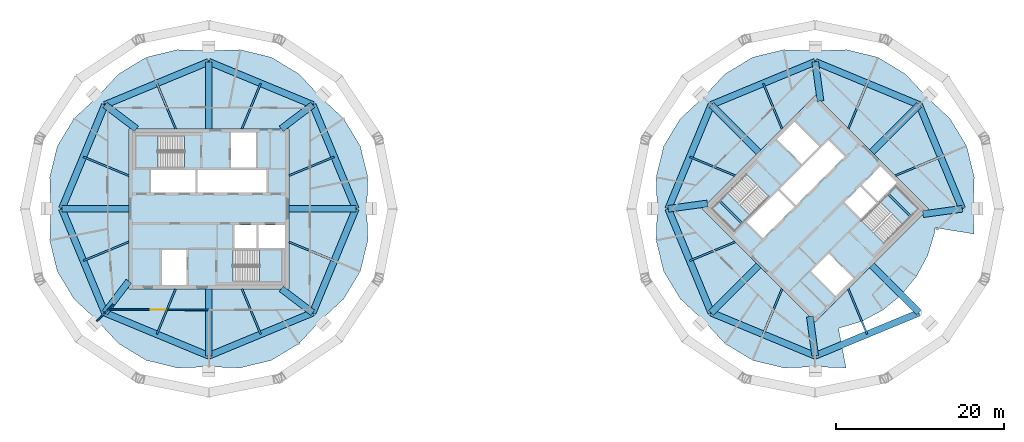
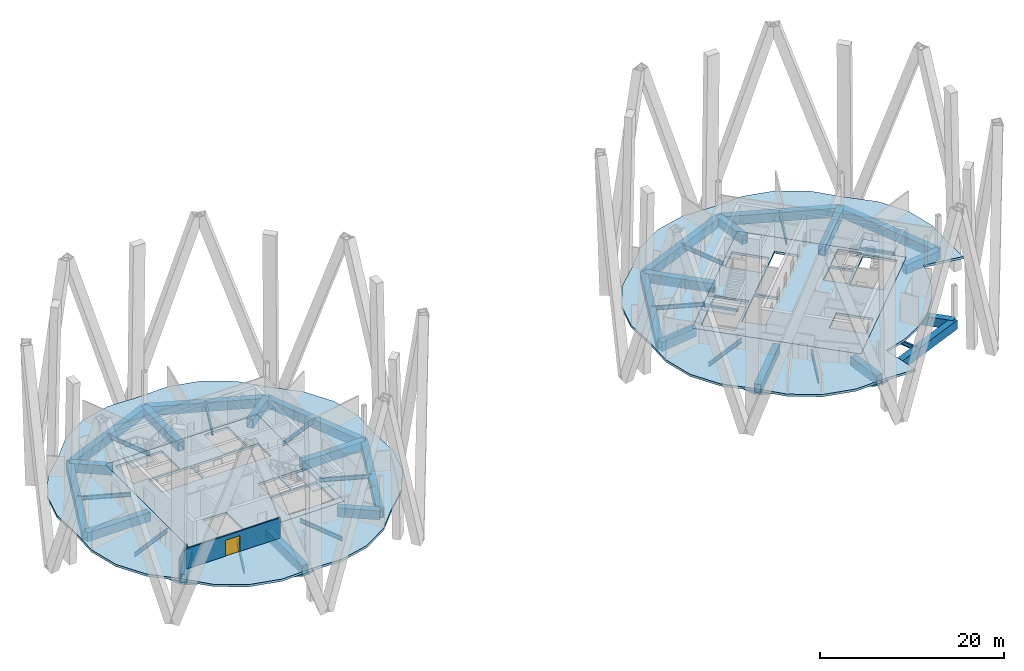
# One storey, part 3 of 11: 48 beams, 8 slabs, 2 walls, 1 door, 1 opening, 4 elements without a shape of their own.
"""IFC4 building model written with IfcOpenShell, lengths in metres."""

from ifc_helpers import new_model, si_unit, direction, frame, frame_2d, origin, origin_2d, place, context, subcontext, project, spatial, polyline, rectangle, hollow_rectangle, i_section, outline, extrude, material, layer, layer_set, material_profile, profile_set, type_object, element, fill, aggregate, save


model = new_model("IFC4")

# Units and contexts
model_context = context("Model", 3, precision=1e-05, world=origin(), true_north=direction((0.0, 1.0)))
body_context = subcontext(model_context, "Body", "Model", "MODEL_VIEW")
ifc_project = project(units=[si_unit("LENGTHUNIT", "METRE"), si_unit("AREAUNIT", "SQUARE_METRE"), si_unit("VOLUMEUNIT", "CUBIC_METRE"), si_unit("PLANEANGLEUNIT", "RADIAN"), si_unit("MASSUNIT", "GRAM", prefix="KILO")], contexts=[model_context])

# Site, building, storey
site_placement = place(None, origin())
site = spatial("IfcSite", under=ifc_project, at=site_placement, CompositionType="ELEMENT")
building_placement = place(site_placement, origin())
building = spatial("IfcBuilding", under=site, at=building_placement, Name="Ogive Gate Towers", CompositionType="ELEMENT")
storey_placement = place(building_placement, frame((0.0, 0.0, 273.0)))
storey = spatial("IfcBuildingStorey", under=building, at=storey_placement, Name="L64", CompositionType="ELEMENT", Elevation=273.0)

# Beams
ifc_material_1 = material(Name="Steel SM460", Category="steel")
ifc_material_profile_1 = material_profile(ifc_material_1, hollow_rectangle(XDim=0.800048828125, YDim=1.199951171875, WallThickness=0.050048828125, at=origin_2d()), Name="BX 1200x800x50")
ifc_profile_set_1 = profile_set([ifc_material_profile_1], Name="Steel SM460")
beam_type_1 = type_object("IfcBeamType", Name="Edge girder BX 1200x800x50", PredefinedType="BEAM", material=ifc_profile_set_1)
for number, where, z_axis, x_axis, name in (
    (1, (-48.342529296875, -12.342529296875, -0.89990234375), (0.923876732551, -0.382690191996, 0.0), (0.382690191996, 0.923876732551, 0.0), "T1/L64/SBM017"),
    (2, (-36.0, -17.455078125, -0.89990234375), (0.923876732551, 0.382690191996, 0.0), (-0.382690191996, 0.923876732551, 0.0), "T1/L64/SBM018"),
    (3, (-23.657470703125, -12.342529296875, -0.89990234375), (0.382690191996, 0.923876732551, 0.0), (-0.923876732551, 0.382690191996, 0.0), "T1/L64/SBM019"),
    (4, (-18.544921875, 0.0, -0.89990234375), (-0.382690191996, 0.923876732551, 0.0), (-0.923876732551, -0.382690191996, 0.0), "T1/L64/SBM020"),
    (5, (-23.657470703125, 12.342529296875, -0.89990234375), (-0.923876732551, 0.382690191996, 0.0), (-0.382690191996, -0.923876732551, 0.0), "T1/L64/SBM021"),
    (6, (-36.0, 17.455078125, -0.89990234375), (-0.923876732551, -0.382690191996, 0.0), (0.382690191996, -0.923876732551, 0.0), "T1/L64/SBM022"),
    (7, (-48.342529296875, 12.342529296875, -0.89990234375), (-0.382690191996, -0.923876732551, 0.0), (0.923876732551, -0.382690191996, 0.0), "T1/L64/SBM023"),
    (8, (-53.455078125, 0.0, -0.89990234375), (0.382690191996, -0.923876732551, 0.0), (0.923876732551, 0.382690191996, 0.0), "T1/L64/SBM024"),
    (9, (23.657470703125, -12.342529296875, -0.89990234375), (0.923876732551, -0.382690191996, 0.0), (0.382690191996, 0.923876732551, 0.0), "T2/L64/SBM016"),
    (10, (36.0, -17.455078125, -0.89990234375), (0.923876732551, 0.382690191996, 0.0), (-0.382690191996, 0.923876732551, 0.0), "T2/L64/SBM017"),
    (11, (53.455078125, 0.0, -0.89990234375), (-0.382690191996, 0.923876732551, 0.0), (-0.923876732551, -0.382690191996, 0.0), "T2/L64/SBM018"),
    (12, (48.342529296875, 12.342529296875, -0.89990234375), (-0.923876732551, 0.382690191996, 0.0), (-0.382690191996, -0.923876732551, 0.0), "T2/L64/SBM019"),
    (13, (36.0, 17.455078125, -0.89990234375), (-0.923876732551, -0.382690191996, 0.0), (0.382690191996, -0.923876732551, 0.0), "T2/L64/SBM020"),
    (14, (23.657470703125, 12.342529296875, -0.89990234375), (-0.382690191996, -0.923876732551, 0.0), (0.923876732551, -0.382690191996, 0.0), "T2/L64/SBM021"),
    (15, (18.544921875, 0.0, -0.89990234375), (0.382690191996, -0.923876732551, 0.0), (0.923876732551, 0.382690191996, 0.0), "T2/L64/SBM022"),
):
    element("IfcBeam", number, at=place(storey_placement, frame(where, z_axis=z_axis, x_axis=x_axis)), inside=storey, type_object=beam_type_1, Name=name, PredefinedType="BEAM", context=body_context, shape_type="SweptSolid", body=[
        extrude(hollow_rectangle(XDim=0.800048828125, YDim=1.199951171875, WallThickness=0.050048828125, at=origin_2d()), origin(), (0.0, 0.0, 1.0), 13.359619140625),
    ])
ifc_material_2 = material(Name="Concrete C40/50", Category="concrete")
ifc_material_profile_2 = material_profile(ifc_material_2, rectangle(XDim=0.25, YDim=0.300048828125, at=origin_2d()), Name="RC 250x300")
ifc_profile_set_2 = profile_set([ifc_material_profile_2], Name="Concrete C40/50")
beam_type_2 = type_object("IfcBeamType", Name="Landing bearer RC 250x300", PredefinedType="BEAM", material=ifc_profile_set_2)
for number, where, z_axis, x_axis, name in (
    (16, (24.64111328125, 0.94482421875, 1.75), (0.707138693938, -0.707074866995, 0.0), (0.707074866995, 0.707138693938, 0.0), "T2 L64 stair 1 landing bearer 1"),
    (17, (47.35888671875, -0.94482421875, 1.75), (-0.707138693938, 0.707074866995, 0.0), (-0.707074866995, -0.707138693938, 0.0), "T2 L64 stair 2 landing bearer 1"),
):
    element("IfcBeam", number, at=place(storey_placement, frame(where, z_axis=z_axis, x_axis=x_axis)), inside=storey, type_object=beam_type_2, Name=name, PredefinedType="BEAM", context=body_context, shape_type="SweptSolid", body=[
        extrude(rectangle(XDim=0.25, YDim=0.300048828125, at=origin_2d()), origin(), (0.0, 0.0, 1.0), 3.824951171875),
    ])
ifc_material_3 = material(Name="Steel SM355", Category="steel")
ifc_material_profile_3 = material_profile(ifc_material_3, i_section(OverallWidth=0.2099609375, OverallDepth=0.550048828125, WebThickness=0.010986328125, FlangeThickness=0.01708984375, FilletRadius=0.02392578125, at=origin_2d()), Name="IPE 550")
ifc_profile_set_3 = profile_set([ifc_material_profile_3], Name="Steel SM355")
beam_type_3 = type_object("IfcBeamType", Name="Radial floor beam IPE 550", PredefinedType="BEAM", material=ifc_profile_set_3)
for number, where, z_axis, x_axis, name in (
    (18, (-39.93505859375, -9.5, -0.574951171875), (-0.382701102209, -0.923872213225, 0.0), (0.923872213225, -0.382701102209, 0.0), "T1/L64/SBM002"),
    (19, (-32.06494140625, -9.5, -0.574951171875), (0.382701102209, -0.923872213225, 0.0), (0.923872213225, 0.382701102209, 0.0), "T1/L64/SBM004"),
    (20, (-26.5, -3.93505859375, -0.574951171875), (0.923872213225, -0.382701102209, 0.0), (0.382701102209, 0.923872213225, 0.0), "T1/L64/SBM006"),
    (21, (-26.5, 3.93505859375, -0.574951171875), (0.923872213225, 0.382701102209, 0.0), (-0.382701102209, 0.923872213225, 0.0), "T1/L64/SBM008"),
    (22, (-32.06494140625, 9.5, -0.574951171875), (0.382701102209, 0.923872213225, 0.0), (-0.923872213225, 0.382701102209, 0.0), "T1/L64/SBM010"),
    (23, (-39.93505859375, 9.5, -0.574951171875), (-0.382701102209, 0.923872213225, 0.0), (-0.923872213225, -0.382701102209, 0.0), "T1/L64/SBM012"),
    (24, (-45.5, 3.93505859375, -0.574951171875), (-0.923872213225, 0.382701102209, 0.0), (-0.382701102209, -0.923872213225, 0.0), "T1/L64/SBM014"),
    (25, (-45.5, -3.93505859375, -0.574951171875), (-0.923872213225, -0.382701102209, 0.0), (0.382701102209, -0.923872213225, 0.0), "T1/L64/SBM016"),
    (26, (32.06494140625, -9.5, -0.574951171875), (-0.382701102209, -0.923872213225, 0.0), (0.923872213225, -0.382701102209, 0.0), "T2/L64/SBM002"),
    (27, (39.93505859375, -9.5, -0.574951171875), (0.382701102209, -0.923872213225, 0.0), (0.923872213225, 0.382701102209, 0.0), "T2/L64/SBM004"),
    (28, (45.5, 3.93505859375, -0.574951171875), (0.923872213225, 0.382701102209, 0.0), (-0.382701102209, 0.923872213225, 0.0), "T2/L64/SBM007"),
    (29, (39.93505859375, 9.5, -0.574951171875), (0.382701102209, 0.923872213225, 0.0), (-0.923872213225, 0.382701102209, 0.0), "T2/L64/SBM009"),
    (30, (32.06494140625, 9.5, -0.574951171875), (-0.382701102209, 0.923872213225, 0.0), (-0.923872213225, -0.382701102209, 0.0), "T2/L64/SBM011"),
    (31, (26.5, 3.93505859375, -0.574951171875), (-0.923872213225, 0.382701102209, 0.0), (-0.382701102209, -0.923872213225, 0.0), "T2/L64/SBM013"),
    (32, (26.5, -3.93505859375, -0.574951171875), (-0.923872213225, -0.382701102209, 0.0), (0.382701102209, -0.923872213225, 0.0), "T2/L64/SBM015"),
):
    element("IfcBeam", number, at=place(storey_placement, frame(where, z_axis=z_axis, x_axis=x_axis)), inside=storey, type_object=beam_type_3, Name=name, PredefinedType="BEAM", context=body_context, shape_type="SweptSolid", body=[
        extrude(i_section(OverallWidth=0.2099609375, OverallDepth=0.550048828125, WebThickness=0.010986328125, FlangeThickness=0.01708984375, FilletRadius=0.02392578125, at=origin_2d()), origin(), (0.0, 0.0, 1.0), 5.843505859375),
    ])
ifc_material_profile_4 = material_profile(ifc_material_1, hollow_rectangle(XDim=0.800048828125, YDim=1.199951171875, WallThickness=0.050048828125, at=origin_2d()), Name="BX 1200x800x50")
ifc_profile_set_4 = profile_set([ifc_material_profile_4], Name="Steel SM460")
beam_type_4 = type_object("IfcBeamType", Name="Transfer radial beam BX 1200x800x50", PredefinedType="BEAM", material=ifc_profile_set_4)
beam_1_placement = place(storey_placement, frame((-45.5, -8.60009765625, -0.89990234375), z_axis=(-0.604851417257, -0.796338347087, 0.0), x_axis=(0.796338347087, -0.604851417257, 0.0)))
element("IfcBeam", 33, at=beam_1_placement, inside=storey, type_object=beam_type_4, Name="T1/L64/SBM001", PredefinedType="BEAM", context=body_context, shape_type="SweptSolid", body=[
    extrude(hollow_rectangle(XDim=0.800048828125, YDim=1.199951171875, WallThickness=0.050048828125, at=origin_2d()), origin(), (0.0, 0.0, 1.0), 4.699462890625),
])
beam_2_placement = place(storey_placement, frame((-36.0, -9.5, -0.89990234375), z_axis=(0.0, -1.0, 0.0), x_axis=(1.0, 0.0, 0.0)))
element("IfcBeam", 34, at=beam_2_placement, inside=storey, type_object=beam_type_4, Name="T1/L64/SBM003", PredefinedType="BEAM", context=body_context, shape_type="SweptSolid", body=[
    extrude(hollow_rectangle(XDim=0.800048828125, YDim=1.199951171875, WallThickness=0.050048828125, at=origin_2d()), origin(), (0.0, 0.0, 1.0), 7.955078125),
])
beam_3_placement = place(storey_placement, frame((-27.39990234375, -9.5, -0.89990234375), z_axis=(0.796338347087, -0.604851417257, 0.0), x_axis=(0.604851417257, 0.796338347087, 0.0)))
element("IfcBeam", 35, at=beam_3_placement, inside=storey, type_object=beam_type_4, Name="T1/L64/SBM005", PredefinedType="BEAM", context=body_context, shape_type="SweptSolid", body=[
    extrude(hollow_rectangle(XDim=0.800048828125, YDim=1.199951171875, WallThickness=0.050048828125, at=origin_2d()), origin(), (0.0, 0.0, 1.0), 4.699462890625),
])
beam_4_placement = place(storey_placement, frame((-26.5, 0.0, -0.89990234375), z_axis=(1.0, 0.0, 0.0), x_axis=(0.0, 1.0, 0.0)))
element("IfcBeam", 36, at=beam_4_placement, inside=storey, type_object=beam_type_4, Name="T1/L64/SBM007", PredefinedType="BEAM", context=body_context, shape_type="SweptSolid", body=[
    extrude(hollow_rectangle(XDim=0.800048828125, YDim=1.199951171875, WallThickness=0.050048828125, at=origin_2d()), origin(), (0.0, 0.0, 1.0), 7.955078125),
])
beam_5_placement = place(storey_placement, frame((-27.39990234375, 9.5, -0.89990234375), z_axis=(0.796338347087, 0.604851417257, 0.0), x_axis=(-0.604851417257, 0.796338347087, 0.0)))
element("IfcBeam", 37, at=beam_5_placement, inside=storey, type_object=beam_type_4, Name="T1/L64/SBM009", PredefinedType="BEAM", context=body_context, shape_type="SweptSolid", body=[
    extrude(hollow_rectangle(XDim=0.800048828125, YDim=1.199951171875, WallThickness=0.050048828125, at=origin_2d()), origin(), (0.0, 0.0, 1.0), 4.699462890625),
])
beam_6_placement = place(storey_placement, frame((-36.0, 9.5, -0.89990234375), z_axis=(0.0, 1.0, 0.0), x_axis=(-1.0, 0.0, 0.0)))
element("IfcBeam", 38, at=beam_6_placement, inside=storey, type_object=beam_type_4, Name="T1/L64/SBM011", PredefinedType="BEAM", context=body_context, shape_type="SweptSolid", body=[
    extrude(hollow_rectangle(XDim=0.800048828125, YDim=1.199951171875, WallThickness=0.050048828125, at=origin_2d()), origin(), (0.0, 0.0, 1.0), 7.955078125),
])
beam_7_placement = place(storey_placement, frame((-44.60009765625, 9.5, -0.89990234375), z_axis=(-0.796338347087, 0.604851417257, 0.0), x_axis=(-0.604851417257, -0.796338347087, 0.0)))
element("IfcBeam", 39, at=beam_7_placement, inside=storey, type_object=beam_type_4, Name="T1/L64/SBM013", PredefinedType="BEAM", context=body_context, shape_type="SweptSolid", body=[
    extrude(hollow_rectangle(XDim=0.800048828125, YDim=1.199951171875, WallThickness=0.050048828125, at=origin_2d()), origin(), (0.0, 0.0, 1.0), 4.699462890625),
])
beam_8_placement = place(storey_placement, frame((-45.5, 0.0, -0.89990234375), z_axis=(-1.0, 0.0, 0.0), x_axis=(0.0, -1.0, 0.0)))
element("IfcBeam", 40, at=beam_8_placement, inside=storey, type_object=beam_type_4, Name="T1/L64/SBM015", PredefinedType="BEAM", context=body_context, shape_type="SweptSolid", body=[
    extrude(hollow_rectangle(XDim=0.800048828125, YDim=1.199951171875, WallThickness=0.050048828125, at=origin_2d()), origin(), (0.0, 0.0, 1.0), 7.955078125),
])
beam_9_placement = place(storey_placement, frame((29.282470703125, -6.717529296875, -0.89990234375), z_axis=(-0.707106781187, -0.707106781187, 0.0), x_axis=(0.707106781187, -0.707106781187, 0.0)))
element("IfcBeam", 41, at=beam_9_placement, inside=storey, type_object=beam_type_4, Name="T2/L64/SBM001", PredefinedType="BEAM", context=body_context, shape_type="SweptSolid", body=[
    extrude(hollow_rectangle(XDim=0.800048828125, YDim=1.199951171875, WallThickness=0.050048828125, at=origin_2d()), origin(), (0.0, 0.0, 1.0), 7.954833984375),
])
beam_10_placement = place(storey_placement, frame((35.363525390625, -12.798583984375, -0.89990234375), z_axis=(0.135426145155, -0.99078744401, 0.0), x_axis=(0.99078744401, 0.135426145155, 0.0)))
element("IfcBeam", 42, at=beam_10_placement, inside=storey, type_object=beam_type_4, Name="T2/L64/SBM003", PredefinedType="BEAM", context=body_context, shape_type="SweptSolid", body=[
    extrude(hollow_rectangle(XDim=0.800048828125, YDim=1.199951171875, WallThickness=0.050048828125, at=origin_2d()), origin(), (0.0, 0.0, 1.0), 4.69970703125),
])
beam_11_placement = place(storey_placement, frame((42.717529296875, -6.717529296875, -0.89990234375), z_axis=(0.707106781187, -0.707106781187, 0.0), x_axis=(0.707106781187, 0.707106781187, 0.0)))
element("IfcBeam", 43, at=beam_11_placement, inside=storey, type_object=beam_type_4, Name="T2/L64/SBM005", PredefinedType="BEAM", context=body_context, shape_type="SweptSolid", body=[
    extrude(hollow_rectangle(XDim=0.800048828125, YDim=1.199951171875, WallThickness=0.050048828125, at=origin_2d()), origin(), (0.0, 0.0, 1.0), 7.954833984375),
])
beam_12_placement = place(storey_placement, frame((48.798583984375, -0.636474609375, -0.89990234375), z_axis=(0.99078744401, 0.135426145155, 0.0), x_axis=(-0.135426145155, 0.99078744401, 0.0)))
element("IfcBeam", 44, at=beam_12_placement, inside=storey, type_object=beam_type_4, Name="T2/L64/SBM006", PredefinedType="BEAM", context=body_context, shape_type="SweptSolid", body=[
    extrude(hollow_rectangle(XDim=0.800048828125, YDim=1.199951171875, WallThickness=0.050048828125, at=origin_2d()), origin(), (0.0, 0.0, 1.0), 4.69970703125),
])
beam_13_placement = place(storey_placement, frame((42.717529296875, 6.717529296875, -0.89990234375), z_axis=(0.707106781187, 0.707106781187, 0.0), x_axis=(-0.707106781187, 0.707106781187, 0.0)))
element("IfcBeam", 45, at=beam_13_placement, inside=storey, type_object=beam_type_4, Name="T2/L64/SBM008", PredefinedType="BEAM", context=body_context, shape_type="SweptSolid", body=[
    extrude(hollow_rectangle(XDim=0.800048828125, YDim=1.199951171875, WallThickness=0.050048828125, at=origin_2d()), origin(), (0.0, 0.0, 1.0), 7.954833984375),
])
beam_14_placement = place(storey_placement, frame((36.636474609375, 12.798583984375, -0.89990234375), z_axis=(-0.135426145155, 0.99078744401, 0.0), x_axis=(-0.99078744401, -0.135426145155, 0.0)))
element("IfcBeam", 46, at=beam_14_placement, inside=storey, type_object=beam_type_4, Name="T2/L64/SBM010", PredefinedType="BEAM", context=body_context, shape_type="SweptSolid", body=[
    extrude(hollow_rectangle(XDim=0.800048828125, YDim=1.199951171875, WallThickness=0.050048828125, at=origin_2d()), origin(), (0.0, 0.0, 1.0), 4.69970703125),
])
beam_15_placement = place(storey_placement, frame((29.282470703125, 6.717529296875, -0.89990234375), z_axis=(-0.707106781187, 0.707106781187, 0.0), x_axis=(-0.707106781187, -0.707106781187, 0.0)))
element("IfcBeam", 47, at=beam_15_placement, inside=storey, type_object=beam_type_4, Name="T2/L64/SBM012", PredefinedType="BEAM", context=body_context, shape_type="SweptSolid", body=[
    extrude(hollow_rectangle(XDim=0.800048828125, YDim=1.199951171875, WallThickness=0.050048828125, at=origin_2d()), origin(), (0.0, 0.0, 1.0), 7.954833984375),
])
beam_16_placement = place(storey_placement, frame((23.201416015625, 0.636474609375, -0.89990234375), z_axis=(-0.99078744401, -0.135426145155, 0.0), x_axis=(0.135426145155, -0.99078744401, 0.0)))
element("IfcBeam", 48, at=beam_16_placement, inside=storey, type_object=beam_type_4, Name="T2/L64/SBM014", PredefinedType="BEAM", context=body_context, shape_type="SweptSolid", body=[
    extrude(hollow_rectangle(XDim=0.800048828125, YDim=1.199951171875, WallThickness=0.050048828125, at=origin_2d()), origin(), (0.0, 0.0, 1.0), 4.69970703125),
])

# Slabs
ifc_layer_1 = layer(ifc_material_2, 0.300048828125)
ifc_layer_set_1 = layer_set([ifc_layer_1], Name="Core slab C40/50 300 mm")
slab_type_1 = type_object("IfcSlabType", Name="Core slab C40/50 300 mm", PredefinedType="FLOOR", material=ifc_layer_set_1)
slab_1_placement = place(storey_placement, frame((0.0, 0.0, -0.300048828125)))
element("IfcSlab", 49, at=slab_1_placement, inside=storey, type_object=slab_type_1, Name="T1 L64 core slab", PredefinedType="FLOOR", context=body_context, shape_type="SweptSolid", body=[
    extrude(outline(polyline([(-45.5, -9.5), (-45.5, 9.5), (-26.5, 9.5), (-26.5, -9.5), (-45.5, -9.5)]), holes=[polyline([(-42.875, 1.925048828125), (-37.574951171875, 1.925048828125), (-37.574951171875, 4.625), (-42.875, 4.625), (-42.875, 1.925048828125)]), polyline([(-37.324951171875, 4.625), (-37.324951171875, 1.925048828125), (-29.125, 1.925048828125), (-29.125, 4.625), (-37.324951171875, 4.625)]), polyline([(-30.324951171875, -1.925048828125), (-32.97509765625, -1.925048828125), (-32.97509765625, -4.625), (-30.324951171875, -4.625), (-30.324951171875, -1.925048828125)]), polyline([(-26.949951171875, -4.625), (-26.949951171875, -1.925048828125), (-30.074951171875, -1.925048828125), (-30.074951171875, -4.625), (-26.949951171875, -4.625)]), polyline([(-33.375, 4.875), (-30.425048828125, 4.875), (-30.425048828125, 9.050048828125), (-33.375, 9.050048828125), (-33.375, 4.875)]), polyline([(-41.574951171875, -4.875), (-41.574951171875, -9.050048828125), (-38.625, -9.050048828125), (-38.625, -4.875), (-41.574951171875, -4.875)]), polyline([(-44.699951171875, 4.875), (-38.885009765625, 4.875), (-38.885009765625, 8.699951171875), (-44.699951171875, 8.699951171875), (-44.699951171875, 4.875)]), polyline([(-27.300048828125, -8.699951171875), (-27.300048828125, -4.875), (-33.114990234375, -4.875), (-33.114990234375, -8.699951171875), (-27.300048828125, -8.699951171875)])]), origin(), (0.0, 0.0, 1.0), 0.300048828125),
])
slab_2_placement = place(storey_placement, frame((0.0, 0.0, -0.300048828125)))
element("IfcSlab", 50, at=slab_2_placement, inside=storey, type_object=slab_type_1, Name="T2 L64 core slab", PredefinedType="FLOOR", context=body_context, shape_type="SweptSolid", body=[
    extrude(outline(polyline([(36.0, -13.43505859375), (22.56494140625, 0.0), (36.0, 13.43505859375), (49.43505859375, 0.0), (36.0, -13.43505859375)]), holes=[polyline([(29.777587890625, -3.500244140625), (33.525146484375, 0.24755859375), (31.615966796875, 2.15673828125), (27.868408203125, -1.591064453125), (29.777587890625, -3.500244140625)]), polyline([(31.792724609375, 2.33349609375), (33.701904296875, 0.42431640625), (39.500244140625, 6.222412109375), (37.591064453125, 8.131591796875), (31.792724609375, 2.33349609375)]), polyline([(41.3740234375, 2.651611328125), (39.500244140625, 0.77783203125), (41.409423828125, -1.13134765625), (43.283203125, 0.742431640625), (41.3740234375, 2.651611328125)]), polyline([(45.669677734375, 3.12890625), (43.760498046875, 5.0380859375), (41.55078125, 2.828369140625), (43.4599609375, 0.919189453125), (45.669677734375, 3.12890625)]), polyline([(34.408935546875, 5.30322265625), (36.4951171875, 7.389404296875), (33.542724609375, 10.34130859375), (31.456787109375, 8.255615234375), (34.408935546875, 5.30322265625)]), polyline([(35.5048828125, -7.389404296875), (38.457275390625, -10.34130859375), (40.543212890625, -8.255615234375), (37.591064453125, -5.30322265625), (35.5048828125, -7.389404296875)]), polyline([(26.40087890625, -2.70458984375), (30.512939453125, 1.406982421875), (27.80810546875, 4.11181640625), (23.6962890625, 0.0), (26.40087890625, -2.70458984375)]), polyline([(48.3037109375, 0.0), (45.59912109375, 2.70458984375), (41.487060546875, -1.406982421875), (44.19189453125, -4.11181640625), (48.3037109375, 0.0)])]), origin(), (0.0, 0.0, 1.0), 0.300048828125),
])
ifc_material_4 = material(Name="Concrete C35/45", Category="concrete")
ifc_layer_2 = layer(ifc_material_4, 0.300048828125)
ifc_layer_set_2 = layer_set([ifc_layer_2], Name="Floor slab 300")
slab_type_2 = type_object("IfcSlabType", Name="Floor slab 300", PredefinedType="FLOOR", material=ifc_layer_set_2)
slab_3_placement = place(storey_placement, frame((0.0, 0.0, -0.300048828125)))
element("IfcSlab", 51, at=slab_3_placement, inside=storey, type_object=slab_type_2, Name="T1/L64/SSL001", PredefinedType="FLOOR", context=body_context, shape_type="SweptSolid", body=[
    extrude(outline(polyline([(-17.110107421875, -3.75732421875), (-17.239990234375, 0.0), (-17.110107421875, 3.75732421875), (-18.021240234375, 7.447021484375), (-19.98583984375, 10.7001953125), (-22.734619140625, 13.265380859375), (-25.2998046875, 16.01416015625), (-28.552978515625, 17.978759765625), (-32.24267578125, 18.889892578125), (-36.0, 18.760009765625), (-39.75732421875, 18.889892578125), (-43.447021484375, 17.978759765625), (-46.7001953125, 16.01416015625), (-49.265380859375, 13.265380859375), (-52.01416015625, 10.7001953125), (-53.978759765625, 7.447021484375), (-54.889892578125, 3.75732421875), (-54.760009765625, 0.0), (-54.889892578125, -3.75732421875), (-53.978759765625, -7.447021484375), (-52.01416015625, -10.7001953125), (-49.265380859375, -13.265380859375), (-46.7001953125, -16.01416015625), (-43.447021484375, -17.978759765625), (-39.75732421875, -18.889892578125), (-36.0, -18.760009765625), (-32.24267578125, -18.889892578125), (-28.552978515625, -17.978759765625), (-25.2998046875, -16.01416015625), (-22.734619140625, -13.265380859375), (-19.98583984375, -10.7001953125), (-18.021240234375, -7.447021484375), (-17.110107421875, -3.75732421875)]), holes=[polyline([(-26.5, -9.5), (-45.5, -9.5), (-45.5, 9.5), (-26.5, 9.5), (-26.5, -9.5)])]), origin(), (0.0, 0.0, 1.0), 0.300048828125),
])
slab_4_placement = place(storey_placement, frame((0.0, 0.0, -0.300048828125)))
element("IfcSlab", 52, at=slab_4_placement, inside=storey, type_object=slab_type_2, Name="T2/L64/SSL001", PredefinedType="FLOOR", context=body_context, shape_type="SweptSolid", body=[
    extrude(outline(polyline([(32.24267578125, -18.889892578125), (36.0, -18.760009765625), (39.75732421875, -18.889892578125), (39.671142578125, -18.886962890625), (38.758056640625, -14.1884765625), (38.821044921875, -14.18212890625), (41.53369140625, -13.359375), (44.033447265625, -12.02294921875), (46.224853515625, -10.224853515625), (48.02294921875, -8.033447265625), (49.359375, -5.53369140625), (50.18212890625, -2.821044921875), (50.23779296875, -2.255126953125), (54.86328125, -2.987548828125), (54.760009765625, 0.0), (54.889892578125, 3.75732421875), (53.978759765625, 7.447021484375), (52.01416015625, 10.7001953125), (49.265380859375, 13.265380859375), (46.7001953125, 16.01416015625), (43.447021484375, 17.978759765625), (39.75732421875, 18.889892578125), (36.0, 18.760009765625), (32.24267578125, 18.889892578125), (28.552978515625, 17.978759765625), (25.2998046875, 16.01416015625), (22.734619140625, 13.265380859375), (19.98583984375, 10.7001953125), (18.021240234375, 7.447021484375), (17.110107421875, 3.75732421875), (17.239990234375, 0.0), (17.110107421875, -3.75732421875), (18.021240234375, -7.447021484375), (19.98583984375, -10.7001953125), (22.734619140625, -13.265380859375), (25.2998046875, -16.01416015625), (28.552978515625, -17.978759765625), (32.24267578125, -18.889892578125)]), holes=[polyline([(49.43505859375, 0.0), (36.0, -13.43505859375), (22.56494140625, 0.0), (36.0, 13.43505859375), (49.43505859375, 0.0)])]), origin(), (0.0, 0.0, 1.0), 0.300048828125),
])

# Stair, slab
stair_type = type_object("IfcStairType", Name="Escape stair 1840 wide", PredefinedType="HALF_TURN_STAIR", material=ifc_material_2)
stair_1_placement = place(storey_placement, origin())
stair_1 = element("IfcStair", 53, at=stair_1_placement, inside=storey, type_object=stair_type, Name="L64 Escape stair 1", PredefinedType="HALF_TURN_STAIR")
ifc_layer_3 = layer(ifc_material_2, 0.199951171875)
ifc_layer_set_3 = layer_set([ifc_layer_3], Name="Stair landing 200 mm")
slab_type_3 = type_object("IfcSlabType", Name="Stair landing 200 mm", PredefinedType="LANDING", material=ifc_layer_set_3)
slab_5_placement = place(storey_placement, frame((0.0, 0.0, 1.89990234375)))
slab_5 = element("IfcSlab", 54, at=slab_5_placement, type_object=slab_type_3, Name="ST1 landing 1", PredefinedType="LANDING", context=body_context, shape_type="SweptSolid", body=[
    extrude(outline(polyline([(-42.027587890625, 8.699951171875), (-44.699951171875, 8.699951171875), (-44.699951171875, 4.875), (-42.027587890625, 4.875), (-42.027587890625, 8.699951171875)])), origin(), (0.0, 0.0, 1.0), 0.2001953125),
])
aggregate(stair_1, [slab_5])

stair_2_placement = place(storey_placement, origin())
stair_2 = element("IfcStair", 55, at=stair_2_placement, inside=storey, type_object=stair_type, Name="L64 Escape stair 2", PredefinedType="HALF_TURN_STAIR")
slab_6_placement = place(storey_placement, frame((0.0, 0.0, 1.89990234375)))
slab_6 = element("IfcSlab", 56, at=slab_6_placement, type_object=slab_type_3, Name="ST2 landing 1", PredefinedType="LANDING", context=body_context, shape_type="SweptSolid", body=[
    extrude(outline(polyline([(-29.972412109375, -8.699951171875), (-27.300048828125, -8.699951171875), (-27.300048828125, -4.875), (-29.972412109375, -4.875), (-29.972412109375, -8.699951171875)])), origin(), (0.0, 0.0, 1.0), 0.2001953125),
])
aggregate(stair_2, [slab_6])

stair_3_placement = place(storey_placement, origin())
stair_3 = element("IfcStair", 57, at=stair_3_placement, inside=storey, type_object=stair_type, Name="L64 Escape stair 1", PredefinedType="HALF_TURN_STAIR")
slab_7_placement = place(storey_placement, frame((0.0, 0.0, 1.89990234375)))
slab_7 = element("IfcSlab", 58, at=slab_7_placement, type_object=slab_type_3, Name="ST1 landing 1", PredefinedType="LANDING", context=body_context, shape_type="SweptSolid", body=[
    extrude(outline(polyline([(25.586181640625, 1.8896484375), (23.6962890625, 0.0), (26.401123046875, -2.70458984375), (28.290771484375, -0.81494140625), (25.586181640625, 1.8896484375)])), origin(), (0.0, 0.0, 1.0), 0.2001953125),
])
aggregate(stair_3, [slab_7])

stair_4_placement = place(storey_placement, origin())
stair_4 = element("IfcStair", 59, at=stair_4_placement, inside=storey, type_object=stair_type, Name="L64 Escape stair 2", PredefinedType="HALF_TURN_STAIR")
slab_8_placement = place(storey_placement, frame((0.0, 0.0, 1.89990234375)))
slab_8 = element("IfcSlab", 60, at=slab_8_placement, type_object=slab_type_3, Name="ST2 landing 1", PredefinedType="LANDING", context=body_context, shape_type="SweptSolid", body=[
    extrude(outline(polyline([(46.413818359375, -1.8896484375), (48.3037109375, 0.0), (45.598876953125, 2.70458984375), (43.709228515625, 0.81494140625), (46.413818359375, -1.8896484375)])), origin(), (0.0, 0.0, 1.0), 0.2001953125),
])
aggregate(stair_4, [slab_8])

# Wall
ifc_material_5 = material(Name="Gypsum board acoustic partition")
ifc_layer_4 = layer(ifc_material_5, 0.175048828125)
ifc_layer_set_4 = layer_set([ifc_layer_4], Name="Acoustic partition 175")
wall_type = type_object("IfcWallType", Name="Acoustic partition 175", PredefinedType="PARTITIONING", material=ifc_layer_set_4)
wall_1_placement = place(storey_placement, frame((-49.322509765625, -13.322509765625, 0.0), z_axis=(0.0, 0.0, 1.0), x_axis=(0.707106781187, 0.707106781187, 0.0)))
element("IfcWall", 61, at=wall_1_placement, inside=storey, type_object=wall_type, Name="Partition T1-L64-007", PredefinedType="PARTITIONING", context=body_context, shape_type="SweptSolid", body=[
    extrude(rectangle(XDim=2.813232421875, YDim=0.175048828125, at=frame_2d((1.40673828125, 0.0))), origin(), (0.0, 0.0, 1.0), 2.699951171875),
])

# Wall, opening, door
wall_2_placement = place(storey_placement, frame((-47.759033203125, -11.980224609375, 0.0), z_axis=(0.0, 0.0, 1.0), x_axis=(0.999999655153, -0.000830478277, 0.0)))
wall_2 = element("IfcWall", 62, at=wall_2_placement, inside=storey, type_object=wall_type, Name="Partition T1-L64-016", PredefinedType="PARTITIONING", context=body_context, shape_type="SweptSolid", body=[
    extrude(rectangle(XDim=11.759033203125, YDim=0.175048828125, at=frame_2d((5.87939453125, 0.0))), origin(), (0.0, 0.0, 1.0), 2.699951171875),
])
opening_placement = place(wall_2_placement, frame((4.868896484375, 0.0, 0.0)))
opening = element("IfcOpeningElement", 63, at=opening_placement, cuts=wall_2, Name="Opening T1-L64-D05", PredefinedType="OPENING", context=body_context, shape_type="SweptSolid", body=[
    extrude(rectangle(XDim=1.800048828125, YDim=2.10009765625, at=frame_2d((0.89990234375, 1.050048828125))), frame((0.0, 0.09765625, 0.0), z_axis=(0.0, -1.0, 0.0), x_axis=(1.0, 0.0, 0.0)), (0.0, 0.0, 1.0), 0.195068359375),
])
ifc_material_6 = material(Name="Timber door", Category="wood")
door_type = type_object("IfcDoorType", Name="Door pair 1800", OperationType="NOTDEFINED", PredefinedType="DOOR", material=ifc_material_6)
door_placement = place(opening_placement, origin())
door = element("IfcDoor", 64, at=door_placement, inside=storey, type_object=door_type, Name="Door T1-L64-D05", OperationType="DOUBLE_DOOR_DOUBLE_SWING", OverallHeight=2.10009765625, OverallWidth=1.800048828125, PredefinedType="DOOR", context=body_context, shape_type="SweptSolid", body=[
    extrude(rectangle(XDim=1.800048828125, YDim=2.10009765625, at=frame_2d((0.89990234375, 1.050048828125))), frame((0.0, 0.02490234375, 0.0), z_axis=(0.0, -1.0, 0.0), x_axis=(1.0, 0.0, 0.0)), (0.0, 0.0, 1.0), 0.050048828125),
])
fill(opening, door)

save(model, "model.ifc")
